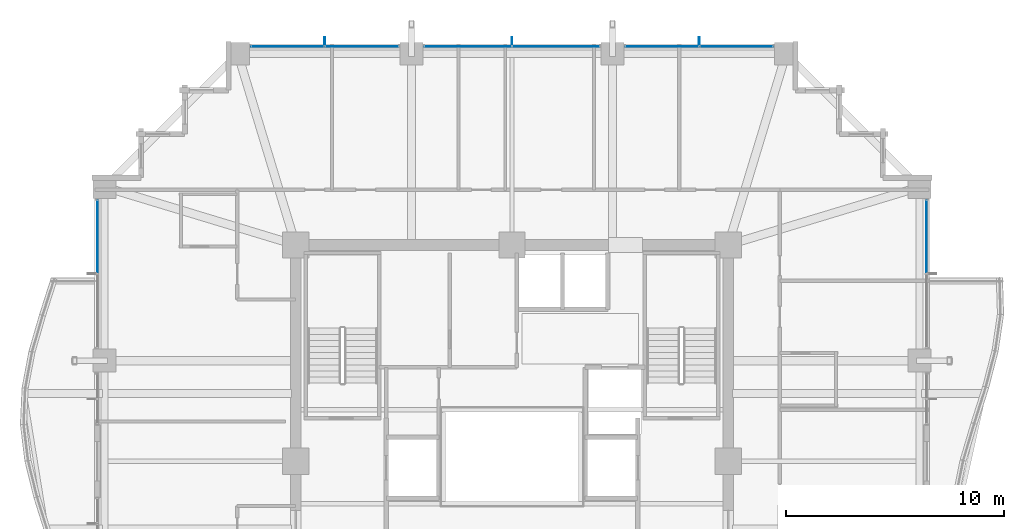
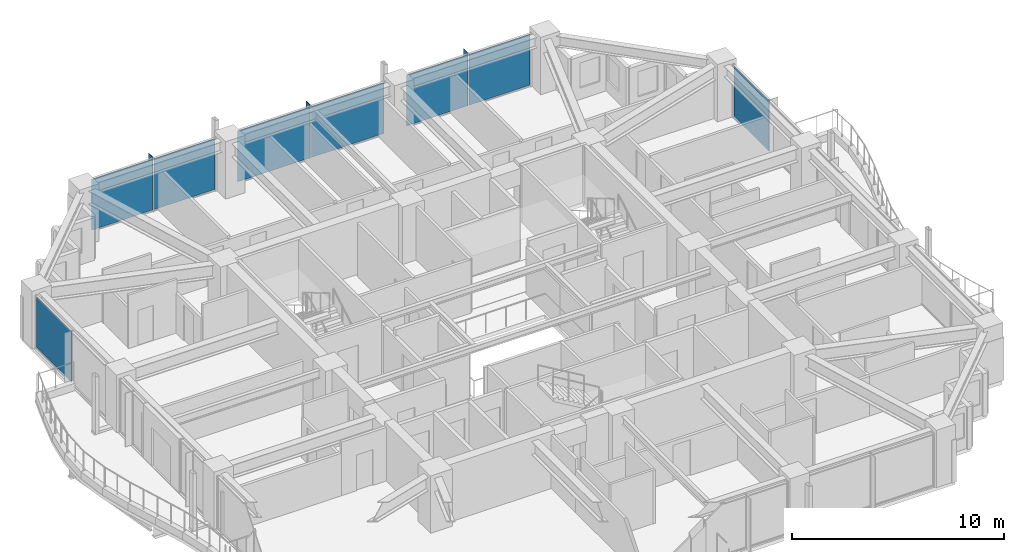
# One storey, part 30 of 38: 11 plates, 5 elements without a shape of their own.
"""IFC4 building model written with IfcOpenShell, lengths in metres."""

from ifc_helpers import new_model, si_unit, direction, frame, origin, origin_2d, place, context, subcontext, project, spatial, rectangle, extrude, material, layer, layer_set, type_object, element, aggregate, save


model = new_model("IFC4")

# Units and contexts
model_context = context("Model", 3, precision=1e-05, world=origin(), true_north=direction((0.0, 1.0)))
body_context = subcontext(model_context, "Body", "Model", "MODEL_VIEW")
ifc_project = project(units=[si_unit("LENGTHUNIT", "METRE"), si_unit("AREAUNIT", "SQUARE_METRE"), si_unit("VOLUMEUNIT", "CUBIC_METRE"), si_unit("PLANEANGLEUNIT", "RADIAN"), si_unit("MASSUNIT", "GRAM", prefix="KILO")], contexts=[model_context])

# Site, building, storey
site_placement = place(None, origin())
site = spatial("IfcSite", under=ifc_project, at=site_placement, CompositionType="ELEMENT")
building_placement = place(site_placement, origin())
building = spatial("IfcBuilding", under=site, at=building_placement, Name="Kolvaren Belvedere", CompositionType="ELEMENT")
storey_placement = place(building_placement, frame((0.0, 0.0, 121.699951171875)))
storey = spatial("IfcBuildingStorey", under=building, at=storey_placement, Name="L35", CompositionType="ELEMENT", Elevation=121.699951171875)

# Curtain wall, plate
ifc_material_1 = material(Name="Anodised pale-metal aluminium AA 6063-T6", Category="aluminium")
curtain_wall_type = type_object("IfcCurtainWallType", Name="CW-Z3-WAIST", PredefinedType="NOTDEFINED", material=ifc_material_1)
curtain_wall_1_placement = place(storey_placement, origin())
curtain_wall_1 = element("IfcCurtainWall", 1, at=curtain_wall_1_placement, inside=storey, type_object=curtain_wall_type, Name="L35 Unitised Curtain Wall FCW-L35-E1-B1", PredefinedType="NOTDEFINED")
ifc_material_2 = material(Name="Low-iron triple insulated glass", Category="glass")
ifc_layer_1 = layer(ifc_material_2, 0.028076171875)
ifc_layer_set_1 = layer_set([ifc_layer_1], Name="Low-iron triple insulated glass")
plate_type_1 = type_object("IfcPlateType", Name="CW-PNL-VIS28", PredefinedType="CURTAIN_PANEL", material=ifc_layer_set_1)
plate_1_placement = place(storey_placement, frame((18.97998046875, 10.273681640625, 0.080078125), z_axis=(0.0, 0.0, 1.0), x_axis=(0.0, -1.0, 0.0)))
plate_1 = element("IfcPlate", 2, at=plate_1_placement, type_object=plate_type_1, Name="FCW-L35-E1-B1 Vision Glazing Panel 1", PredefinedType="CURTAIN_PANEL", context=body_context, shape_type="SweptSolid", body=[
    extrude(rectangle(XDim=3.3173828125, YDim=0.028076171875, at=origin_2d()), origin(), (0.0, 0.0, 1.0), 2.919921875),
])
aggregate(curtain_wall_1, [plate_1])

# Curtain wall, plates
curtain_wall_2_placement = place(storey_placement, origin())
curtain_wall_2 = element("IfcCurtainWall", 3, at=curtain_wall_2_placement, inside=storey, type_object=curtain_wall_type, Name="L35 Unitised Curtain Wall FCW-L35-N-B1", PredefinedType="NOTDEFINED")
plate_2_placement = place(storey_placement, frame((-10.273681640625, 18.97998046875, 0.080078125), z_axis=(0.0, 0.0, 1.0), x_axis=(1.0, 0.0, 0.0)))
plate_2 = element("IfcPlate", 4, at=plate_2_placement, type_object=plate_type_1, Name="FCW-L35-N-B1 Vision Glazing Panel 1", PredefinedType="CURTAIN_PANEL", context=body_context, shape_type="SweptSolid", body=[
    extrude(rectangle(XDim=3.3173828125, YDim=0.028076171875, at=origin_2d()), origin(), (0.0, 0.0, 1.0), 2.919921875),
])
plate_3_placement = place(storey_placement, frame((-6.876220703125, 18.97998046875, 0.080078125), z_axis=(0.0, 0.0, 1.0), x_axis=(1.0, 0.0, 0.0)))
plate_3 = element("IfcPlate", 5, at=plate_3_placement, type_object=plate_type_1, Name="FCW-L35-N-B1 Vision Glazing Panel 2", PredefinedType="CURTAIN_PANEL", context=body_context, shape_type="SweptSolid", body=[
    extrude(rectangle(XDim=3.3173828125, YDim=0.028076171875, at=origin_2d()), origin(), (0.0, 0.0, 1.0), 2.919921875),
])
aggregate(curtain_wall_2, [plate_2, plate_3])

curtain_wall_3_placement = place(storey_placement, origin())
curtain_wall_3 = element("IfcCurtainWall", 6, at=curtain_wall_3_placement, inside=storey, type_object=curtain_wall_type, Name="L35 Unitised Curtain Wall FCW-L35-N-B2", PredefinedType="NOTDEFINED")
plate_4_placement = place(storey_placement, frame((-2.01123046875, 18.97998046875, 0.080078125), z_axis=(0.0, 0.0, 1.0), x_axis=(1.0, 0.0, 0.0)))
plate_4 = element("IfcPlate", 7, at=plate_4_placement, type_object=plate_type_1, Name="FCW-L35-N-B2 Vision Glazing Panel 1", PredefinedType="CURTAIN_PANEL", context=body_context, shape_type="SweptSolid", body=[
    extrude(rectangle(XDim=3.9423828125, YDim=0.028076171875, at=origin_2d()), origin(), (0.0, 0.0, 1.0), 2.919921875),
])
plate_5_placement = place(storey_placement, frame((2.01123046875, 18.97998046875, 0.080078125), z_axis=(0.0, 0.0, 1.0), x_axis=(1.0, 0.0, 0.0)))
plate_5 = element("IfcPlate", 8, at=plate_5_placement, type_object=plate_type_1, Name="FCW-L35-N-B2 Vision Glazing Panel 2", PredefinedType="CURTAIN_PANEL", context=body_context, shape_type="SweptSolid", body=[
    extrude(rectangle(XDim=3.9423828125, YDim=0.028076171875, at=origin_2d()), origin(), (0.0, 0.0, 1.0), 2.919921875),
])
aggregate(curtain_wall_3, [plate_4, plate_5])

curtain_wall_4_placement = place(storey_placement, origin())
curtain_wall_4 = element("IfcCurtainWall", 9, at=curtain_wall_4_placement, inside=storey, type_object=curtain_wall_type, Name="L35 Unitised Curtain Wall FCW-L35-N-B3", PredefinedType="NOTDEFINED")
plate_6_placement = place(storey_placement, frame((6.876220703125, 18.97998046875, 0.080078125), z_axis=(0.0, 0.0, 1.0), x_axis=(1.0, 0.0, 0.0)))
plate_6 = element("IfcPlate", 10, at=plate_6_placement, type_object=plate_type_1, Name="FCW-L35-N-B3 Vision Glazing Panel 1", PredefinedType="CURTAIN_PANEL", context=body_context, shape_type="SweptSolid", body=[
    extrude(rectangle(XDim=3.3173828125, YDim=0.028076171875, at=origin_2d()), origin(), (0.0, 0.0, 1.0), 2.919921875),
])
plate_7_placement = place(storey_placement, frame((10.273681640625, 18.97998046875, 0.080078125), z_axis=(0.0, 0.0, 1.0), x_axis=(1.0, 0.0, 0.0)))
plate_7 = element("IfcPlate", 11, at=plate_7_placement, type_object=plate_type_1, Name="FCW-L35-N-B3 Vision Glazing Panel 2", PredefinedType="CURTAIN_PANEL", context=body_context, shape_type="SweptSolid", body=[
    extrude(rectangle(XDim=3.3173828125, YDim=0.028076171875, at=origin_2d()), origin(), (0.0, 0.0, 1.0), 2.919921875),
])
aggregate(curtain_wall_4, [plate_6, plate_7])

# Curtain wall, plate
curtain_wall_5_placement = place(storey_placement, origin())
curtain_wall_5 = element("IfcCurtainWall", 12, at=curtain_wall_5_placement, inside=storey, type_object=curtain_wall_type, Name="L35 Unitised Curtain Wall FCW-L35-W2-B2", PredefinedType="NOTDEFINED")
plate_8_placement = place(storey_placement, frame((-18.97998046875, 10.273681640625, 0.080078125), z_axis=(0.0, 0.0, 1.0), x_axis=(0.0, 1.0, 0.0)))
plate_8 = element("IfcPlate", 13, at=plate_8_placement, type_object=plate_type_1, Name="FCW-L35-W2-B2 Vision Glazing Panel 2", PredefinedType="CURTAIN_PANEL", context=body_context, shape_type="SweptSolid", body=[
    extrude(rectangle(XDim=3.3173828125, YDim=0.028076171875, at=origin_2d()), origin(), (0.0, 0.0, 1.0), 2.919921875),
])
aggregate(curtain_wall_5, [plate_8])

# Plates
ifc_material_3 = material(Name="Anodised pale-metal aluminium AA 6063-T6", Category="aluminium")
ifc_layer_2 = layer(ifc_material_3, 0.033935546875)
ifc_layer_set_2 = layer_set([ifc_layer_2], Name="Anodised pale-metal aluminium AA 6063-T6")
plate_type_2 = type_object("IfcPlateType", Name="FIN-VERT-380", PredefinedType="USERDEFINED", material=ifc_layer_set_2)
for number, where, z_axis, x_axis, name in (
    (14, (-8.574951171875, 19.219970703125, 0.0), (0.0, 0.0, 1.0), (0.0, 1.0, 0.0), "L35 Pale-Metal Vertical Shading Fin FCW-L35-N-B1-1"),
    (15, (0.0, 19.219970703125, 0.0), (0.0, 0.0, 1.0), (0.0, 1.0, 0.0), "L35 Pale-Metal Vertical Shading Fin FCW-L35-N-B2-1"),
    (16, (8.574951171875, 19.219970703125, 0.0), (0.0, 0.0, 1.0), (0.0, 1.0, 0.0), "L35 Pale-Metal Vertical Shading Fin FCW-L35-N-B3-1"),
):
    element("IfcPlate", number, at=place(storey_placement, frame(where, z_axis=z_axis, x_axis=x_axis)), inside=storey, type_object=plate_type_2, Name=name, ObjectType="VERTICAL FIN", PredefinedType="USERDEFINED", context=body_context, shape_type="SweptSolid", body=[
        extrude(rectangle(XDim=0.3798828125, YDim=0.033935546875, at=origin_2d()), origin(), (0.0, 0.0, 1.0), 3.080078125),
    ])

save(model, "model.ifc")
